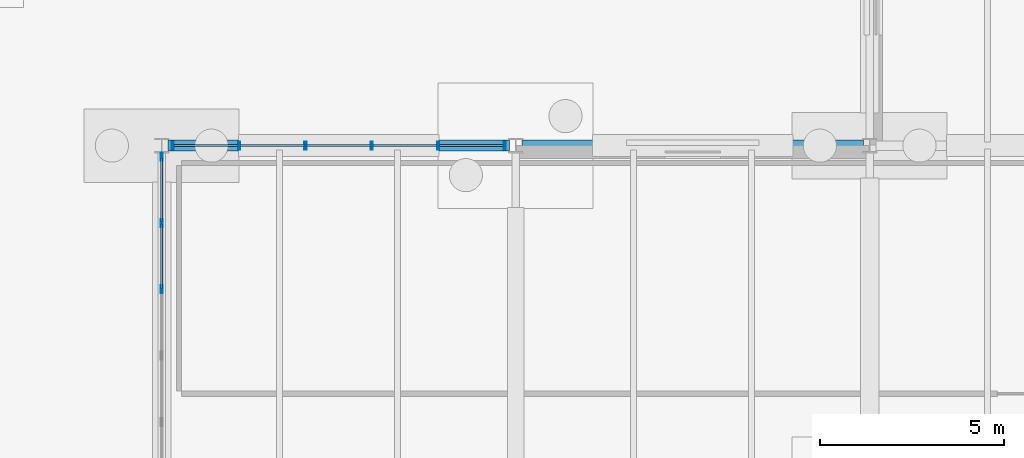
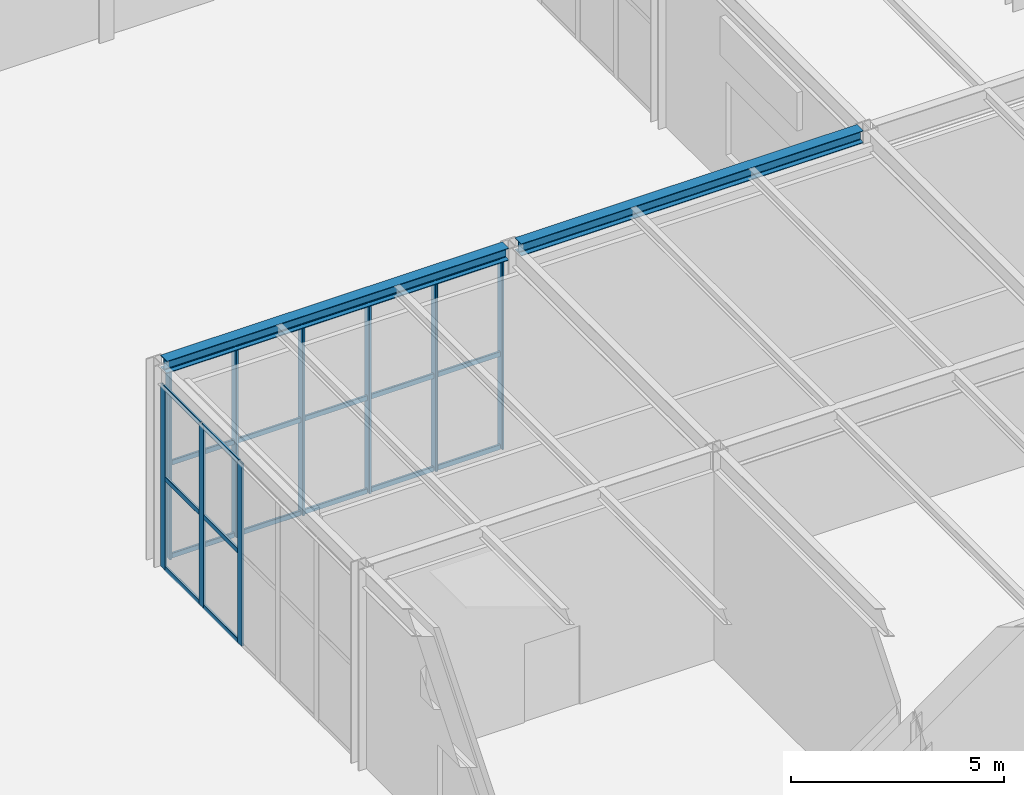
# One storey, part 82 of 142: 30 members, 2 beams, 2 elements without a shape of their own.
"""IFC4 building model written with IfcOpenShell, lengths in metres."""

import ifcopenshell
import ifcopenshell.guid

model = None  # the IFC model being written
_history = None  # IfcOwnerHistory: only IFC2X3 demands one
_inside = {}  # id of a spatial element -> (the spatial element, [elements in it])
_under = {}  # id of a project, library or spatial element -> (it, [spatial elements below it])
_declared = {}  # id of a project -> (the project, [libraries it declares])
_typed = {}  # id of a type object -> (the type object, [elements of that type])
_made_of = {}  # id of a material, layer set ... -> (it, [elements and type objects made of it])


def new_model(schema):
    """Start an empty IFC model of exactly this schema.

    Asked for "IFC4X3", IfcOpenShell would pick the latest addendum, in which some entities
    have other attributes; the version numbers below select the first issue.
    IFC2X3 requires an IfcOwnerHistory on every rooted entity: one is made here for all.
    """
    global model, _history
    if schema == "IFC4X3":
        model = ifcopenshell.file(schema_version=(4, 3, 0, 0))
    else:
        model = ifcopenshell.file(schema=schema)
    _inside.clear()
    _under.clear()
    _declared.clear()
    _typed.clear()
    _made_of.clear()
    _history = None
    if model.schema == "IFC2X3":
        org = make("IfcOrganization", Name="unknown")
        user = make(
            "IfcPersonAndOrganization",
            ThePerson=make("IfcPerson", FamilyName="unknown"),
            TheOrganization=org,
        )
        app = make(
            "IfcApplication",
            ApplicationDeveloper=org,
            Version="unknown",
            ApplicationFullName="unknown",
            ApplicationIdentifier="unknown",
        )
        _history = make(
            "IfcOwnerHistory",
            OwningUser=user,
            OwningApplication=app,
            ChangeAction="ADDED",
            CreationDate=0,
        )
    return model


def make(cls, **values):
    """One entity of the class cls with the attributes given. An attribute that is None is left unset."""
    return model.create_entity(
        cls, **{name: value for name, value in values.items() if value is not None}
    )


def rooted(cls, **values):
    """An entity with a GlobalId (a new one), such as an element, a storey or a relation."""
    return make(cls, GlobalId=ifcopenshell.guid.new(), OwnerHistory=_history, **values)


def si_unit(unit_type, name, prefix=None):
    """IfcSIUnit, for example si_unit("LENGTHUNIT", "METRE", prefix="MILLI")."""
    return make("IfcSIUnit", UnitType=unit_type, Prefix=prefix, Name=name)


def assignment(units):
    """IfcUnitAssignment: the units of a project."""
    return None if units is None else make("IfcUnitAssignment", Units=units)


def point(xyz):
    """IfcCartesianPoint."""
    return None if xyz is None else make("IfcCartesianPoint", Coordinates=xyz)


def direction(xyz):
    """IfcDirection."""
    return None if xyz is None else make("IfcDirection", DirectionRatios=xyz)


def frame(location, z_axis=None, x_axis=None):
    """IfcAxis2Placement3D, a coordinate frame: its origin and axes. An axis left out is left unset."""
    return make(
        "IfcAxis2Placement3D",
        Location=point(location),
        Axis=direction(z_axis),
        RefDirection=direction(x_axis),
    )


def frame_2d(location, x_axis=None):
    """IfcAxis2Placement2D, a coordinate frame in the plane: its origin and x axis."""
    return make(
        "IfcAxis2Placement2D", Location=point(location), RefDirection=direction(x_axis)
    )


def origin():
    """The frame at (0, 0, 0) with its axes left unset."""
    return frame((0.0, 0.0, 0.0))


def origin_2d():
    """The frame at (0, 0) in the plane with its x axis left unset."""
    return frame_2d((0.0, 0.0))


def place(relative_to, where):
    """IfcLocalPlacement: puts the frame where relative to a parent placement (None: the world)."""
    return make(
        "IfcLocalPlacement", PlacementRelTo=relative_to, RelativePlacement=where
    )


def context(
    kind, dimensions, precision=None, world=None, true_north=None, identifier=None
):
    """IfcGeometricRepresentationContext, for example the 3D "Model" context."""
    return make(
        "IfcGeometricRepresentationContext",
        ContextIdentifier=identifier,
        ContextType=kind,
        CoordinateSpaceDimension=dimensions,
        Precision=precision,
        WorldCoordinateSystem=world,
        TrueNorth=true_north,
    )


def subcontext(parent, identifier, kind, view, scale=None):
    """IfcGeometricRepresentationSubContext, for example "Body" below "Model"."""
    return make(
        "IfcGeometricRepresentationSubContext",
        ContextIdentifier=identifier,
        ContextType=kind,
        ParentContext=parent,
        TargetScale=scale,
        TargetView=view,
    )


def project(units=None, contexts=None):
    """IfcProject with its units and contexts."""
    return rooted(
        "IfcProject",
        Name="project",
        RepresentationContexts=contexts,
        UnitsInContext=assignment(units),
    )


def spatial(cls, under=None, at=None, **own):
    """A site, building, storey or space (cls), placed at a placement, below another one or the project."""
    s = rooted(cls, ObjectPlacement=at, **own)
    if under is not None:
        _under.setdefault(under.id(), (under, []))[1].append(s)
    return s


def profile(cls, at=None, kind="AREA", **sizes):
    """A parametric profile (cls). Its sizes go by their IFC names, for example OverallWidth=200.0."""
    return make(cls, ProfileType=kind, Position=at, **sizes)


def hollow_rectangle(**sizes):
    """IfcRectangleHollowProfileDef."""
    return profile("IfcRectangleHollowProfileDef", **sizes)


def i_section(**sizes):
    """IfcIShapeProfileDef."""
    return profile("IfcIShapeProfileDef", **sizes)


def extrude(swept, where, along, depth):
    """IfcExtrudedAreaSolid: the profile swept, set in the frame where, extruded along a direction by depth."""
    return make(
        "IfcExtrudedAreaSolid",
        SweptArea=swept,
        Position=where,
        ExtrudedDirection=direction(along),
        Depth=depth,
    )


def shape(context_of_items, identifier, shape_type, items):
    """IfcShapeRepresentation: the items that make up one representation, for example the "Body"."""
    return make(
        "IfcShapeRepresentation",
        ContextOfItems=context_of_items,
        RepresentationIdentifier=identifier,
        RepresentationType=shape_type,
        Items=items,
    )


def material(Name=None, Category=None):
    """IfcMaterial."""
    return make("IfcMaterial", Name=Name, Category=Category)


def material_profile(
    of_material, cross_section, Name=None, Category=None, Priority=None
):
    """IfcMaterialProfile: a cross section and its material."""
    return make(
        "IfcMaterialProfile",
        Name=Name,
        Material=of_material,
        Profile=cross_section,
        Priority=Priority,
        Category=Category,
    )


def profile_set(profiles, Name=None, composite=None):
    """IfcMaterialProfileSet."""
    return make(
        "IfcMaterialProfileSet",
        Name=Name,
        MaterialProfiles=profiles,
        CompositeProfile=composite,
    )


def made_of(thing, what):
    """Note that an element or type object is made of a material, layer set ...; save() writes the relation."""
    if what is not None:
        _made_of.setdefault(what.id(), (what, []))[1].append(thing)
    return thing


def type_object(cls, material=None, **own):
    """A type object (cls), such as IfcWallType, which elements share."""
    return made_of(rooted(cls, **own), material)


def element(
    cls,
    number,
    at=None,
    inside=None,
    cuts=None,
    type_object=None,
    material=None,
    context=None,
    identifier="Body",
    shape_type=None,
    held_by="IfcProductDefinitionShape",
    body=None,
    shapes=None,
    **own,
):
    """One element of the class cls, such as IfcWall. Its Tag is "e" and its number.

    at: its placement. inside: the storey or other place that contains it. cuts: it is an
    opening in that element (IfcRelVoidsElement). A single representation is given by context,
    identifier, shape_type and body (its items); several are given by shapes. held_by: the class
    of the entity that holds the representations. save() writes the other relations.
    """
    e = rooted(cls, Tag="e%d" % number, ObjectPlacement=at, **own)
    if body is not None:
        shapes = [shape(context, identifier, shape_type, body)]
    if shapes is not None:
        e.Representation = make(held_by, Representations=shapes)
    if inside is not None:
        _inside.setdefault(inside.id(), (inside, []))[1].append(e)
    if cuts is not None:
        rooted(
            "IfcRelVoidsElement", RelatingBuildingElement=cuts, RelatedOpeningElement=e
        )
    if type_object is not None:
        _typed.setdefault(type_object.id(), (type_object, []))[1].append(e)
    return made_of(e, material)


def aggregate(whole, parts):
    """IfcRelAggregates: a whole, such as a stair, and the parts it consists of."""
    return rooted("IfcRelAggregates", RelatingObject=whole, RelatedObjects=parts)


def save(model, path):
    """Write the relations noted so far, then the file.

    IfcRelAggregates (storeys below a building ...), IfcRelContainedInSpatialStructure (elements
    in a storey), IfcRelDefinesByType, IfcRelAssociatesMaterial and IfcRelDeclares: one each for
    every whole, place, type object, material and project.
    """
    for whole, parts in _under.values():
        aggregate(whole, parts)
    for where, things in _inside.values():
        rooted(
            "IfcRelContainedInSpatialStructure",
            RelatedElements=things,
            RelatingStructure=where,
        )
    for kind, things in _typed.values():
        rooted("IfcRelDefinesByType", RelatedObjects=things, RelatingType=kind)
    for what, things in _made_of.values():
        rooted("IfcRelAssociatesMaterial", RelatedObjects=things, RelatingMaterial=what)
    for by, libraries in _declared.values():
        rooted("IfcRelDeclares", RelatingContext=by, RelatedDefinitions=libraries)
    model.write(path)


model = new_model("IFC4")

# Units and contexts
model_context = context("Model", 3, precision=1e-05, world=origin(), true_north=direction((0.0, 1.0)))
body_context = subcontext(model_context, "Body", "Model", "MODEL_VIEW")
ifc_project = project(units=[si_unit("LENGTHUNIT", "METRE"), si_unit("AREAUNIT", "SQUARE_METRE"), si_unit("VOLUMEUNIT", "CUBIC_METRE"), si_unit("PLANEANGLEUNIT", "RADIAN"), si_unit("MASSUNIT", "GRAM", prefix="KILO")], contexts=[model_context])

# Site, building, storey
site_placement = place(None, origin())
site = spatial("IfcSite", under=ifc_project, at=site_placement, CompositionType="ELEMENT")
building_placement = place(site_placement, origin())
building = spatial("IfcBuilding", under=site, at=building_placement, Name="Coralgate Yard Interchange", CompositionType="ELEMENT")
storey_placement = place(building_placement, origin())
storey = spatial("IfcBuildingStorey", under=building, at=storey_placement, Name="L00", CompositionType="ELEMENT", Elevation=0.0)

# Beams
ifc_material_1 = material(Name="Structural steel S355J2", Category="steel")
ifc_material_profile_1 = material_profile(ifc_material_1, i_section(OverallWidth=0.300048828125, OverallDepth=0.35009765625, WebThickness=0.010009765625, FlangeThickness=0.017578125, FilletRadius=0.027099609375, at=origin_2d()), Name="HEA 360")
ifc_profile_set_1 = profile_set([ifc_material_profile_1], Name="Structural steel S355J2")
beam_type = type_object("IfcBeamType", Name="BM-SP-1", PredefinedType="SPANDREL", material=ifc_profile_set_1)
for number, where, z_axis, x_axis, name in (
    (1, (134.569580078125, 19.199951171875, 5.574951171875), (1.0, 0.0, 0.0), (0.0, 1.0, 0.0), "L00 primary grid beam Y2 X14-15"),
    (2, (144.16943359375, 19.199951171875, 5.574951171875), (1.0, 0.0, 0.0), (0.0, 1.0, 0.0), "L00 primary grid beam Y2 X15-16"),
):
    element("IfcBeam", number, at=place(storey_placement, frame(where, z_axis=z_axis, x_axis=x_axis)), inside=storey, type_object=beam_type, Name=name, PredefinedType="SPANDREL", context=body_context, shape_type="SweptSolid", body=[
        extrude(i_section(OverallWidth=0.300048828125, OverallDepth=0.35009765625, WebThickness=0.010009765625, FlangeThickness=0.017578125, FilletRadius=0.027099609375, at=origin_2d()), origin(), (0.0, 0.0, 1.0), 9.260986328125),
    ])

# Curtain wall, members
ifc_material_2 = material(Name="Anodised coastal aluminium and solar-control low-E glass", Category="aluminium")
curtain_wall_type_1 = type_object("IfcCurtainWallType", Name="CW-CW-L00-A", PredefinedType="NOTDEFINED", material=ifc_material_2)
curtain_wall_1_placement = place(storey_placement, origin())
curtain_wall_1 = element("IfcCurtainWall", 3, at=curtain_wall_1_placement, inside=storey, type_object=curtain_wall_type_1, Name="L00 unitised curtain wall CW-L00-W-14-01", PredefinedType="NOTDEFINED")
ifc_material_3 = material(Name="Anodised coastal aluminium 6063-T6", Category="aluminium")
ifc_material_profile_2 = material_profile(ifc_material_3, hollow_rectangle(XDim=0.06005859375, YDim=0.219970703125, WallThickness=0.00390625, InnerFilletRadius=0.00390625, OuterFilletRadius=0.008056640625, at=origin_2d()), Name="ALU 60x220x4")
ifc_profile_set_2 = profile_set([ifc_material_profile_2], Name="Anodised coastal aluminium 6063-T6")
member_type_1 = type_object("IfcMemberType", Name="MB-MUL-220", PredefinedType="MULLION", material=ifc_profile_set_2)
member_1_placement = place(storey_placement, frame((134.39990234375, 15.300048828125, 0.0), z_axis=(0.0, 0.0, 1.0), x_axis=(1.0, 0.0, 0.0)))
member_1 = element("IfcMember", 4, at=member_1_placement, type_object=member_type_1, Name="CW-L00-W-14-01 vertical mullion 4", PredefinedType="MULLION", context=body_context, shape_type="SweptSolid", body=[
    extrude(hollow_rectangle(XDim=0.06005859375, YDim=0.219970703125, WallThickness=0.00390625, InnerFilletRadius=0.00390625, OuterFilletRadius=0.008056640625, at=origin_2d()), origin(), (0.0, 0.0, 1.0), 5.216796875),
])
member_2_placement = place(storey_placement, frame((134.39990234375, 17.10009765625, 0.0), z_axis=(0.0, 0.0, 1.0), x_axis=(1.0, 0.0, 0.0)))
member_2 = element("IfcMember", 5, at=member_2_placement, type_object=member_type_1, Name="CW-L00-W-14-01 vertical mullion 5", PredefinedType="MULLION", context=body_context, shape_type="SweptSolid", body=[
    extrude(hollow_rectangle(XDim=0.06005859375, YDim=0.219970703125, WallThickness=0.00390625, InnerFilletRadius=0.00390625, OuterFilletRadius=0.008056640625, at=origin_2d()), origin(), (0.0, 0.0, 1.0), 5.216796875),
])
member_3_placement = place(storey_placement, frame((134.39990234375, 18.89990234375, 0.0), z_axis=(0.0, 0.0, 1.0), x_axis=(1.0, 0.0, 0.0)))
member_3 = element("IfcMember", 6, at=member_3_placement, type_object=member_type_1, Name="CW-L00-W-14-01 vertical mullion 6", PredefinedType="MULLION", context=body_context, shape_type="SweptSolid", body=[
    extrude(hollow_rectangle(XDim=0.06005859375, YDim=0.219970703125, WallThickness=0.00390625, InnerFilletRadius=0.00390625, OuterFilletRadius=0.008056640625, at=origin_2d()), origin(), (0.0, 0.0, 1.0), 5.216796875),
])

curtain_wall_type_2 = type_object("IfcCurtainWallType", Name="CW-CW-L00-B", PredefinedType="NOTDEFINED", material=ifc_material_2)
curtain_wall_2_placement = place(storey_placement, origin())
curtain_wall_2 = element("IfcCurtainWall", 7, at=curtain_wall_2_placement, inside=storey, type_object=curtain_wall_type_2, Name="L00 unitised curtain wall CW-L00-N-14-01", PredefinedType="NOTDEFINED")
member_4_placement = place(storey_placement, frame((134.699951171875, 19.199951171875, 0.0), z_axis=(0.0, 0.0, 1.0), x_axis=(1.0, 0.0, 0.0)))
member_4 = element("IfcMember", 8, at=member_4_placement, type_object=member_type_1, Name="CW-L00-N-14-01 vertical mullion 1", PredefinedType="MULLION", context=body_context, shape_type="SweptSolid", body=[
    extrude(hollow_rectangle(XDim=0.06005859375, YDim=0.219970703125, WallThickness=0.00390625, InnerFilletRadius=0.00390625, OuterFilletRadius=0.008056640625, at=origin_2d()), origin(), (0.0, 0.0, 1.0), 5.39990234375),
])
member_5_placement = place(storey_placement, frame((136.5, 19.199951171875, 0.0), z_axis=(0.0, 0.0, 1.0), x_axis=(1.0, 0.0, 0.0)))
member_5 = element("IfcMember", 9, at=member_5_placement, type_object=member_type_1, Name="CW-L00-N-14-01 vertical mullion 2", PredefinedType="MULLION", context=body_context, shape_type="SweptSolid", body=[
    extrude(hollow_rectangle(XDim=0.06005859375, YDim=0.219970703125, WallThickness=0.00390625, InnerFilletRadius=0.00390625, OuterFilletRadius=0.008056640625, at=origin_2d()), origin(), (0.0, 0.0, 1.0), 5.39990234375),
])
member_6_placement = place(storey_placement, frame((138.300048828125, 19.199951171875, 0.0), z_axis=(0.0, 0.0, 1.0), x_axis=(1.0, 0.0, 0.0)))
member_6 = element("IfcMember", 10, at=member_6_placement, type_object=member_type_1, Name="CW-L00-N-14-01 vertical mullion 3", PredefinedType="MULLION", context=body_context, shape_type="SweptSolid", body=[
    extrude(hollow_rectangle(XDim=0.06005859375, YDim=0.219970703125, WallThickness=0.00390625, InnerFilletRadius=0.00390625, OuterFilletRadius=0.008056640625, at=origin_2d()), origin(), (0.0, 0.0, 1.0), 5.39990234375),
])
member_7_placement = place(storey_placement, frame((140.10009765625, 19.199951171875, 0.0), z_axis=(0.0, 0.0, 1.0), x_axis=(1.0, 0.0, 0.0)))
member_7 = element("IfcMember", 11, at=member_7_placement, type_object=member_type_1, Name="CW-L00-N-14-01 vertical mullion 4", PredefinedType="MULLION", context=body_context, shape_type="SweptSolid", body=[
    extrude(hollow_rectangle(XDim=0.06005859375, YDim=0.219970703125, WallThickness=0.00390625, InnerFilletRadius=0.00390625, OuterFilletRadius=0.008056640625, at=origin_2d()), origin(), (0.0, 0.0, 1.0), 5.39990234375),
])
member_8_placement = place(storey_placement, frame((141.89990234375, 19.199951171875, 0.0), z_axis=(0.0, 0.0, 1.0), x_axis=(1.0, 0.0, 0.0)))
member_8 = element("IfcMember", 12, at=member_8_placement, type_object=member_type_1, Name="CW-L00-N-14-01 vertical mullion 5", PredefinedType="MULLION", context=body_context, shape_type="SweptSolid", body=[
    extrude(hollow_rectangle(XDim=0.06005859375, YDim=0.219970703125, WallThickness=0.00390625, InnerFilletRadius=0.00390625, OuterFilletRadius=0.008056640625, at=origin_2d()), origin(), (0.0, 0.0, 1.0), 5.39990234375),
])
member_9_placement = place(storey_placement, frame((143.699951171875, 19.199951171875, 0.0), z_axis=(0.0, 0.0, 1.0), x_axis=(1.0, 0.0, 0.0)))
member_9 = element("IfcMember", 13, at=member_9_placement, type_object=member_type_1, Name="CW-L00-N-14-01 vertical mullion 6", PredefinedType="MULLION", context=body_context, shape_type="SweptSolid", body=[
    extrude(hollow_rectangle(XDim=0.06005859375, YDim=0.219970703125, WallThickness=0.00390625, InnerFilletRadius=0.00390625, OuterFilletRadius=0.008056640625, at=origin_2d()), origin(), (0.0, 0.0, 1.0), 5.39990234375),
])

# Member
ifc_material_profile_3 = material_profile(ifc_material_3, hollow_rectangle(XDim=0.06005859375, YDim=0.139892578125, WallThickness=0.00341796875, InnerFilletRadius=0.00341796875, OuterFilletRadius=0.007080078125, at=origin_2d()), Name="ALU 60x140x3.5")
ifc_profile_set_3 = profile_set([ifc_material_profile_3], Name="Anodised coastal aluminium 6063-T6")
member_type_2 = type_object("IfcMemberType", Name="MB-TRN-140", PredefinedType="USERDEFINED", material=ifc_profile_set_3)
member_10_placement = place(storey_placement, frame((134.39990234375, 15.330078125, 0.034912109375), z_axis=(0.0, 1.0, 0.0), x_axis=(-1.0, 0.0, 0.0)))
member_10 = element("IfcMember", 14, at=member_10_placement, type_object=member_type_2, Name="CW-L00-W-14-01 horizontal transom 4-1", ObjectType="TRANSOM", PredefinedType="USERDEFINED", context=body_context, shape_type="SweptSolid", body=[
    extrude(hollow_rectangle(XDim=0.06005859375, YDim=0.139892578125, WallThickness=0.00341796875, InnerFilletRadius=0.00341796875, OuterFilletRadius=0.007080078125, at=origin_2d()), origin(), (0.0, 0.0, 1.0), 1.739990234375),
])

member_11_placement = place(storey_placement, frame((134.39990234375, 15.330078125, 2.6083984375), z_axis=(0.0, 1.0, 0.0), x_axis=(-1.0, 0.0, 0.0)))
member_11 = element("IfcMember", 15, at=member_11_placement, type_object=member_type_2, Name="CW-L00-W-14-01 horizontal transom 4-2", ObjectType="TRANSOM", PredefinedType="USERDEFINED", context=body_context, shape_type="SweptSolid", body=[
    extrude(hollow_rectangle(XDim=0.06005859375, YDim=0.139892578125, WallThickness=0.00341796875, InnerFilletRadius=0.00341796875, OuterFilletRadius=0.007080078125, at=origin_2d()), origin(), (0.0, 0.0, 1.0), 1.739990234375),
])

member_12_placement = place(storey_placement, frame((134.39990234375, 15.330078125, 5.181884765625), z_axis=(0.0, 1.0, 0.0), x_axis=(-1.0, 0.0, 0.0)))
member_12 = element("IfcMember", 16, at=member_12_placement, type_object=member_type_2, Name="CW-L00-W-14-01 horizontal transom 4-3", ObjectType="TRANSOM", PredefinedType="USERDEFINED", context=body_context, shape_type="SweptSolid", body=[
    extrude(hollow_rectangle(XDim=0.06005859375, YDim=0.139892578125, WallThickness=0.00341796875, InnerFilletRadius=0.00341796875, OuterFilletRadius=0.007080078125, at=origin_2d()), origin(), (0.0, 0.0, 1.0), 1.739990234375),
])

member_13_placement = place(storey_placement, frame((134.39990234375, 17.1298828125, 0.034912109375), z_axis=(0.0, 1.0, 0.0), x_axis=(-1.0, 0.0, 0.0)))
member_13 = element("IfcMember", 17, at=member_13_placement, type_object=member_type_2, Name="CW-L00-W-14-01 horizontal transom 5-1", ObjectType="TRANSOM", PredefinedType="USERDEFINED", context=body_context, shape_type="SweptSolid", body=[
    extrude(hollow_rectangle(XDim=0.06005859375, YDim=0.139892578125, WallThickness=0.00341796875, InnerFilletRadius=0.00341796875, OuterFilletRadius=0.007080078125, at=origin_2d()), origin(), (0.0, 0.0, 1.0), 1.740234375),
])

member_14_placement = place(storey_placement, frame((134.39990234375, 17.1298828125, 2.6083984375), z_axis=(0.0, 1.0, 0.0), x_axis=(-1.0, 0.0, 0.0)))
member_14 = element("IfcMember", 18, at=member_14_placement, type_object=member_type_2, Name="CW-L00-W-14-01 horizontal transom 5-2", ObjectType="TRANSOM", PredefinedType="USERDEFINED", context=body_context, shape_type="SweptSolid", body=[
    extrude(hollow_rectangle(XDim=0.06005859375, YDim=0.139892578125, WallThickness=0.00341796875, InnerFilletRadius=0.00341796875, OuterFilletRadius=0.007080078125, at=origin_2d()), origin(), (0.0, 0.0, 1.0), 1.740234375),
])

member_15_placement = place(storey_placement, frame((134.39990234375, 17.1298828125, 5.181884765625), z_axis=(0.0, 1.0, 0.0), x_axis=(-1.0, 0.0, 0.0)))
member_15 = element("IfcMember", 19, at=member_15_placement, type_object=member_type_2, Name="CW-L00-W-14-01 horizontal transom 5-3", ObjectType="TRANSOM", PredefinedType="USERDEFINED", context=body_context, shape_type="SweptSolid", body=[
    extrude(hollow_rectangle(XDim=0.06005859375, YDim=0.139892578125, WallThickness=0.00341796875, InnerFilletRadius=0.00341796875, OuterFilletRadius=0.007080078125, at=origin_2d()), origin(), (0.0, 0.0, 1.0), 1.740234375),
])

aggregate(curtain_wall_1, [member_1, member_2, member_3, member_10, member_11, member_12, member_13, member_14, member_15])

member_16_placement = place(storey_placement, frame((134.72998046875, 19.199951171875, 0.034912109375), z_axis=(1.0, 0.0, 0.0), x_axis=(0.0, 1.0, 0.0)))
member_16 = element("IfcMember", 20, at=member_16_placement, type_object=member_type_2, Name="CW-L00-N-14-01 horizontal transom 1-1", ObjectType="TRANSOM", PredefinedType="USERDEFINED", context=body_context, shape_type="SweptSolid", body=[
    extrude(hollow_rectangle(XDim=0.06005859375, YDim=0.139892578125, WallThickness=0.00341796875, InnerFilletRadius=0.00341796875, OuterFilletRadius=0.007080078125, at=origin_2d()), origin(), (0.0, 0.0, 1.0), 1.739990234375),
])

member_17_placement = place(storey_placement, frame((134.72998046875, 19.199951171875, 2.699951171875), z_axis=(1.0, 0.0, 0.0), x_axis=(0.0, 1.0, 0.0)))
member_17 = element("IfcMember", 21, at=member_17_placement, type_object=member_type_2, Name="CW-L00-N-14-01 horizontal transom 1-2", ObjectType="TRANSOM", PredefinedType="USERDEFINED", context=body_context, shape_type="SweptSolid", body=[
    extrude(hollow_rectangle(XDim=0.06005859375, YDim=0.139892578125, WallThickness=0.00341796875, InnerFilletRadius=0.00341796875, OuterFilletRadius=0.007080078125, at=origin_2d()), origin(), (0.0, 0.0, 1.0), 1.739990234375),
])

member_18_placement = place(storey_placement, frame((134.72998046875, 19.199951171875, 5.364990234375), z_axis=(1.0, 0.0, 0.0), x_axis=(0.0, 1.0, 0.0)))
member_18 = element("IfcMember", 22, at=member_18_placement, type_object=member_type_2, Name="CW-L00-N-14-01 horizontal transom 1-3", ObjectType="TRANSOM", PredefinedType="USERDEFINED", context=body_context, shape_type="SweptSolid", body=[
    extrude(hollow_rectangle(XDim=0.06005859375, YDim=0.139892578125, WallThickness=0.00341796875, InnerFilletRadius=0.00341796875, OuterFilletRadius=0.007080078125, at=origin_2d()), origin(), (0.0, 0.0, 1.0), 1.739990234375),
])

member_19_placement = place(storey_placement, frame((136.530029296875, 19.199951171875, 0.034912109375), z_axis=(1.0, 0.0, 0.0), x_axis=(0.0, 1.0, 0.0)))
member_19 = element("IfcMember", 23, at=member_19_placement, type_object=member_type_2, Name="CW-L00-N-14-01 horizontal transom 2-1", ObjectType="TRANSOM", PredefinedType="USERDEFINED", context=body_context, shape_type="SweptSolid", body=[
    extrude(hollow_rectangle(XDim=0.06005859375, YDim=0.139892578125, WallThickness=0.00341796875, InnerFilletRadius=0.00341796875, OuterFilletRadius=0.007080078125, at=origin_2d()), origin(), (0.0, 0.0, 1.0), 1.739990234375),
])

member_20_placement = place(storey_placement, frame((136.530029296875, 19.199951171875, 2.699951171875), z_axis=(1.0, 0.0, 0.0), x_axis=(0.0, 1.0, 0.0)))
member_20 = element("IfcMember", 24, at=member_20_placement, type_object=member_type_2, Name="CW-L00-N-14-01 horizontal transom 2-2", ObjectType="TRANSOM", PredefinedType="USERDEFINED", context=body_context, shape_type="SweptSolid", body=[
    extrude(hollow_rectangle(XDim=0.06005859375, YDim=0.139892578125, WallThickness=0.00341796875, InnerFilletRadius=0.00341796875, OuterFilletRadius=0.007080078125, at=origin_2d()), origin(), (0.0, 0.0, 1.0), 1.739990234375),
])

member_21_placement = place(storey_placement, frame((136.530029296875, 19.199951171875, 5.364990234375), z_axis=(1.0, 0.0, 0.0), x_axis=(0.0, 1.0, 0.0)))
member_21 = element("IfcMember", 25, at=member_21_placement, type_object=member_type_2, Name="CW-L00-N-14-01 horizontal transom 2-3", ObjectType="TRANSOM", PredefinedType="USERDEFINED", context=body_context, shape_type="SweptSolid", body=[
    extrude(hollow_rectangle(XDim=0.06005859375, YDim=0.139892578125, WallThickness=0.00341796875, InnerFilletRadius=0.00341796875, OuterFilletRadius=0.007080078125, at=origin_2d()), origin(), (0.0, 0.0, 1.0), 1.739990234375),
])

member_22_placement = place(storey_placement, frame((138.330078125, 19.199951171875, 0.034912109375), z_axis=(1.0, 0.0, 0.0), x_axis=(0.0, 1.0, 0.0)))
member_22 = element("IfcMember", 26, at=member_22_placement, type_object=member_type_2, Name="CW-L00-N-14-01 horizontal transom 3-1", ObjectType="TRANSOM", PredefinedType="USERDEFINED", context=body_context, shape_type="SweptSolid", body=[
    extrude(hollow_rectangle(XDim=0.06005859375, YDim=0.139892578125, WallThickness=0.00341796875, InnerFilletRadius=0.00341796875, OuterFilletRadius=0.007080078125, at=origin_2d()), origin(), (0.0, 0.0, 1.0), 1.739990234375),
])

member_23_placement = place(storey_placement, frame((138.330078125, 19.199951171875, 2.699951171875), z_axis=(1.0, 0.0, 0.0), x_axis=(0.0, 1.0, 0.0)))
member_23 = element("IfcMember", 27, at=member_23_placement, type_object=member_type_2, Name="CW-L00-N-14-01 horizontal transom 3-2", ObjectType="TRANSOM", PredefinedType="USERDEFINED", context=body_context, shape_type="SweptSolid", body=[
    extrude(hollow_rectangle(XDim=0.06005859375, YDim=0.139892578125, WallThickness=0.00341796875, InnerFilletRadius=0.00341796875, OuterFilletRadius=0.007080078125, at=origin_2d()), origin(), (0.0, 0.0, 1.0), 1.739990234375),
])

member_24_placement = place(storey_placement, frame((138.330078125, 19.199951171875, 5.364990234375), z_axis=(1.0, 0.0, 0.0), x_axis=(0.0, 1.0, 0.0)))
member_24 = element("IfcMember", 28, at=member_24_placement, type_object=member_type_2, Name="CW-L00-N-14-01 horizontal transom 3-3", ObjectType="TRANSOM", PredefinedType="USERDEFINED", context=body_context, shape_type="SweptSolid", body=[
    extrude(hollow_rectangle(XDim=0.06005859375, YDim=0.139892578125, WallThickness=0.00341796875, InnerFilletRadius=0.00341796875, OuterFilletRadius=0.007080078125, at=origin_2d()), origin(), (0.0, 0.0, 1.0), 1.739990234375),
])

member_25_placement = place(storey_placement, frame((140.1298828125, 19.199951171875, 0.034912109375), z_axis=(1.0, 0.0, 0.0), x_axis=(0.0, 1.0, 0.0)))
member_25 = element("IfcMember", 29, at=member_25_placement, type_object=member_type_2, Name="CW-L00-N-14-01 horizontal transom 4-1", ObjectType="TRANSOM", PredefinedType="USERDEFINED", context=body_context, shape_type="SweptSolid", body=[
    extrude(hollow_rectangle(XDim=0.06005859375, YDim=0.139892578125, WallThickness=0.00341796875, InnerFilletRadius=0.00341796875, OuterFilletRadius=0.007080078125, at=origin_2d()), origin(), (0.0, 0.0, 1.0), 1.740234375),
])

member_26_placement = place(storey_placement, frame((140.1298828125, 19.199951171875, 2.699951171875), z_axis=(1.0, 0.0, 0.0), x_axis=(0.0, 1.0, 0.0)))
member_26 = element("IfcMember", 30, at=member_26_placement, type_object=member_type_2, Name="CW-L00-N-14-01 horizontal transom 4-2", ObjectType="TRANSOM", PredefinedType="USERDEFINED", context=body_context, shape_type="SweptSolid", body=[
    extrude(hollow_rectangle(XDim=0.06005859375, YDim=0.139892578125, WallThickness=0.00341796875, InnerFilletRadius=0.00341796875, OuterFilletRadius=0.007080078125, at=origin_2d()), origin(), (0.0, 0.0, 1.0), 1.740234375),
])

member_27_placement = place(storey_placement, frame((140.1298828125, 19.199951171875, 5.364990234375), z_axis=(1.0, 0.0, 0.0), x_axis=(0.0, 1.0, 0.0)))
member_27 = element("IfcMember", 31, at=member_27_placement, type_object=member_type_2, Name="CW-L00-N-14-01 horizontal transom 4-3", ObjectType="TRANSOM", PredefinedType="USERDEFINED", context=body_context, shape_type="SweptSolid", body=[
    extrude(hollow_rectangle(XDim=0.06005859375, YDim=0.139892578125, WallThickness=0.00341796875, InnerFilletRadius=0.00341796875, OuterFilletRadius=0.007080078125, at=origin_2d()), origin(), (0.0, 0.0, 1.0), 1.740234375),
])

member_28_placement = place(storey_placement, frame((141.929931640625, 19.199951171875, 0.034912109375), z_axis=(1.0, 0.0, 0.0), x_axis=(0.0, 1.0, 0.0)))
member_28 = element("IfcMember", 32, at=member_28_placement, type_object=member_type_2, Name="CW-L00-N-14-01 horizontal transom 5-1", ObjectType="TRANSOM", PredefinedType="USERDEFINED", context=body_context, shape_type="SweptSolid", body=[
    extrude(hollow_rectangle(XDim=0.06005859375, YDim=0.139892578125, WallThickness=0.00341796875, InnerFilletRadius=0.00341796875, OuterFilletRadius=0.007080078125, at=origin_2d()), origin(), (0.0, 0.0, 1.0), 1.739990234375),
])

member_29_placement = place(storey_placement, frame((141.929931640625, 19.199951171875, 2.699951171875), z_axis=(1.0, 0.0, 0.0), x_axis=(0.0, 1.0, 0.0)))
member_29 = element("IfcMember", 33, at=member_29_placement, type_object=member_type_2, Name="CW-L00-N-14-01 horizontal transom 5-2", ObjectType="TRANSOM", PredefinedType="USERDEFINED", context=body_context, shape_type="SweptSolid", body=[
    extrude(hollow_rectangle(XDim=0.06005859375, YDim=0.139892578125, WallThickness=0.00341796875, InnerFilletRadius=0.00341796875, OuterFilletRadius=0.007080078125, at=origin_2d()), origin(), (0.0, 0.0, 1.0), 1.739990234375),
])

member_30_placement = place(storey_placement, frame((141.929931640625, 19.199951171875, 5.364990234375), z_axis=(1.0, 0.0, 0.0), x_axis=(0.0, 1.0, 0.0)))
member_30 = element("IfcMember", 34, at=member_30_placement, type_object=member_type_2, Name="CW-L00-N-14-01 horizontal transom 5-3", ObjectType="TRANSOM", PredefinedType="USERDEFINED", context=body_context, shape_type="SweptSolid", body=[
    extrude(hollow_rectangle(XDim=0.06005859375, YDim=0.139892578125, WallThickness=0.00341796875, InnerFilletRadius=0.00341796875, OuterFilletRadius=0.007080078125, at=origin_2d()), origin(), (0.0, 0.0, 1.0), 1.739990234375),
])

aggregate(curtain_wall_2, [member_4, member_5, member_6, member_7, member_8, member_9, member_16, member_17, member_18, member_19, member_20, member_21, member_22, member_23, member_24, member_25, member_26, member_27, member_28, member_29, member_30])

save(model, "model.ifc")
